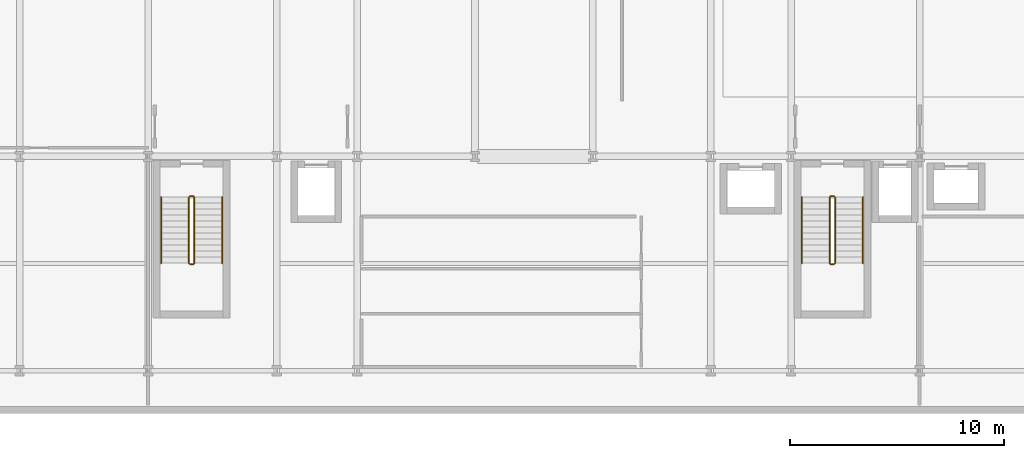
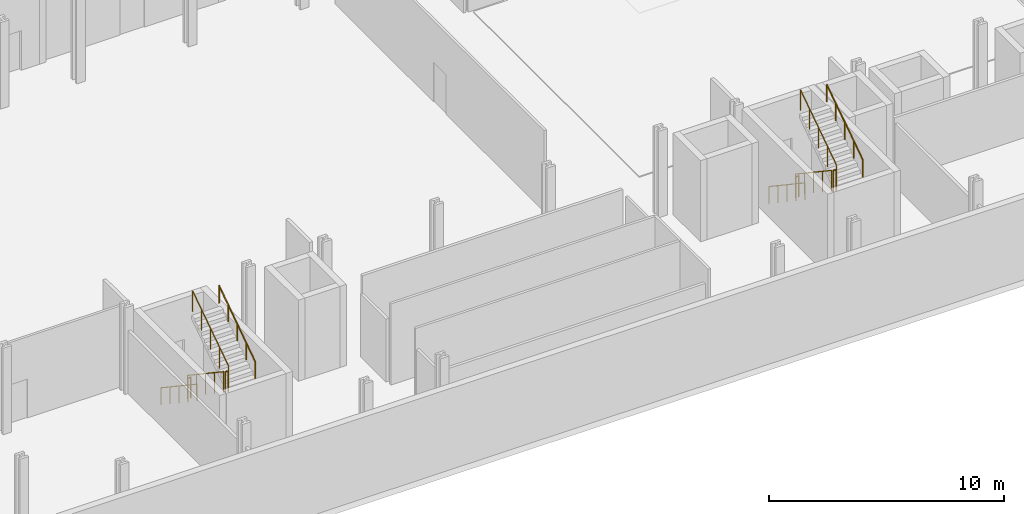
# One storey, part 22 of 25: 12 railings.
"""IFC4 building model written with IfcOpenShell, lengths in metres."""

from ifc_helpers import new_model, si_unit, direction, frame, origin, origin_2d, place, context, subcontext, project, spatial, circle, extrude, material, type_object, element, save


model = new_model("IFC4")

# Units and contexts
model_context = context("Model", 3, precision=1e-05, world=origin(), true_north=direction((0.0, 1.0)))
body_context = subcontext(model_context, "Body", "Model", "MODEL_VIEW")
ifc_project = project(units=[si_unit("LENGTHUNIT", "METRE"), si_unit("AREAUNIT", "SQUARE_METRE"), si_unit("VOLUMEUNIT", "CUBIC_METRE"), si_unit("PLANEANGLEUNIT", "RADIAN"), si_unit("MASSUNIT", "GRAM", prefix="KILO")], contexts=[model_context])

# Site, building, storey
site_placement = place(None, origin())
site = spatial("IfcSite", under=ifc_project, at=site_placement, CompositionType="ELEMENT")
building_placement = place(site_placement, origin())
building = spatial("IfcBuilding", under=site, at=building_placement, Name="Brevholm Reach", CompositionType="ELEMENT")
storey_placement = place(building_placement, frame((0.0, 0.0, 4.5)))
storey = spatial("IfcBuildingStorey", under=building, at=storey_placement, Name="L01", CompositionType="ELEMENT", Elevation=4.5)

# Railings
ifc_material_1 = material(Name="Brushed Stainless Steel EN 1.4401 Continuous Handrail", Category="steel")
railing_type_1 = type_object("IfcRailingType", Name="RAL-HND-950", PredefinedType="HANDRAIL", material=ifc_material_1)
railing_1_placement = place(storey_placement, frame((12.60009765625, 8.10009765625, 0.1875)))
element("IfcRailing", 1, at=railing_1_placement, inside=storey, type_object=railing_type_1, Name="L01 ST-1 stair handrail 1", PredefinedType="HANDRAIL", context=body_context, shape_type="SweptSolid", body=[
    extrude(circle(Radius=0.02392578125, at=origin_2d()), frame((0.0, 0.0, 0.8857421875), z_axis=(0.0, -0.830913701846, 0.55640131208), x_axis=(1.0, 0.0, 0.0)), (0.0, 0.0, 1.0), 3.706787109375),
    extrude(circle(Radius=0.02099609375, at=origin_2d()), origin(), (0.0, 0.0, 1.0), 0.86181640625),
    extrude(circle(Radius=0.02099609375, at=origin_2d()), frame((0.0, -0.77001953125, 0.515625)), (0.0, 0.0, 1.0), 0.86181640625),
    extrude(circle(Radius=0.02099609375, at=origin_2d()), frame((0.0, -1.5400390625, 1.03125)), (0.0, 0.0, 1.0), 0.86181640625),
    extrude(circle(Radius=0.02099609375, at=origin_2d()), frame((0.0, -2.31005859375, 1.546875)), (0.0, 0.0, 1.0), 0.86181640625),
    extrude(circle(Radius=0.02099609375, at=origin_2d()), frame((0.0, -3.080078125, 2.0625)), (0.0, 0.0, 1.0), 0.86181640625),
])
railing_2_placement = place(storey_placement, frame((15.449951171875, 5.02001953125, 2.4375)))
element("IfcRailing", 2, at=railing_2_placement, inside=storey, type_object=railing_type_1, Name="L01 ST-1 stair handrail 2", PredefinedType="HANDRAIL", context=body_context, shape_type="SweptSolid", body=[
    extrude(circle(Radius=0.02392578125, at=origin_2d()), frame((0.0, 0.0, 0.8857421875), z_axis=(0.0, 0.830913701846, 0.55640131208), x_axis=(-1.0, 0.0, 0.0)), (0.0, 0.0, 1.0), 3.706787109375),
    extrude(circle(Radius=0.02099609375, at=origin_2d()), origin(), (0.0, 0.0, 1.0), 0.86181640625),
    extrude(circle(Radius=0.02099609375, at=origin_2d()), frame((0.0, 0.77001953125, 0.515625)), (0.0, 0.0, 1.0), 0.86181640625),
    extrude(circle(Radius=0.02099609375, at=origin_2d()), frame((0.0, 1.5400390625, 1.03125)), (0.0, 0.0, 1.0), 0.86181640625),
    extrude(circle(Radius=0.02099609375, at=origin_2d()), frame((0.0, 2.31005859375, 1.546875)), (0.0, 0.0, 1.0), 0.86181640625),
    extrude(circle(Radius=0.02099609375, at=origin_2d()), frame((0.0, 3.080078125, 2.0625)), (0.0, 0.0, 1.0), 0.86181640625),
])
railing_3_placement = place(storey_placement, frame((42.5, 8.10009765625, 0.1875)))
element("IfcRailing", 3, at=railing_3_placement, inside=storey, type_object=railing_type_1, Name="L01 ST-2 stair handrail 1", PredefinedType="HANDRAIL", context=body_context, shape_type="SweptSolid", body=[
    extrude(circle(Radius=0.02392578125, at=origin_2d()), frame((0.0, 0.0, 0.8857421875), z_axis=(0.0, -0.830913701846, 0.55640131208), x_axis=(1.0, 0.0, 0.0)), (0.0, 0.0, 1.0), 3.706787109375),
    extrude(circle(Radius=0.02099609375, at=origin_2d()), origin(), (0.0, 0.0, 1.0), 0.86181640625),
    extrude(circle(Radius=0.02099609375, at=origin_2d()), frame((0.0, -0.77001953125, 0.515625)), (0.0, 0.0, 1.0), 0.86181640625),
    extrude(circle(Radius=0.02099609375, at=origin_2d()), frame((0.0, -1.5400390625, 1.03125)), (0.0, 0.0, 1.0), 0.86181640625),
    extrude(circle(Radius=0.02099609375, at=origin_2d()), frame((0.0, -2.31005859375, 1.546875)), (0.0, 0.0, 1.0), 0.86181640625),
    extrude(circle(Radius=0.02099609375, at=origin_2d()), frame((0.0, -3.080078125, 2.0625)), (0.0, 0.0, 1.0), 0.86181640625),
])
railing_4_placement = place(storey_placement, frame((45.35009765625, 5.02001953125, 2.4375)))
element("IfcRailing", 4, at=railing_4_placement, inside=storey, type_object=railing_type_1, Name="L01 ST-2 stair handrail 2", PredefinedType="HANDRAIL", context=body_context, shape_type="SweptSolid", body=[
    extrude(circle(Radius=0.02392578125, at=origin_2d()), frame((0.0, 0.0, 0.8857421875), z_axis=(0.0, 0.830913701846, 0.55640131208), x_axis=(-1.0, 0.0, 0.0)), (0.0, 0.0, 1.0), 3.706787109375),
    extrude(circle(Radius=0.02099609375, at=origin_2d()), origin(), (0.0, 0.0, 1.0), 0.86181640625),
    extrude(circle(Radius=0.02099609375, at=origin_2d()), frame((0.0, 0.77001953125, 0.515625)), (0.0, 0.0, 1.0), 0.86181640625),
    extrude(circle(Radius=0.02099609375, at=origin_2d()), frame((0.0, 1.5400390625, 1.03125)), (0.0, 0.0, 1.0), 0.86181640625),
    extrude(circle(Radius=0.02099609375, at=origin_2d()), frame((0.0, 2.31005859375, 1.546875)), (0.0, 0.0, 1.0), 0.86181640625),
    extrude(circle(Radius=0.02099609375, at=origin_2d()), frame((0.0, 3.080078125, 2.0625)), (0.0, 0.0, 1.0), 0.86181640625),
])
ifc_material_2 = material(Name="Painted Tubular Galvanised Steel S275JR Stair Guard", Category="steel")
railing_type_2 = type_object("IfcRailingType", Name="RAL-STG-1120", PredefinedType="BALUSTRADE", material=ifc_material_2)
railing_5_placement = place(storey_placement, frame((13.89990234375, 8.10009765625, 0.1875)))
element("IfcRailing", 5, at=railing_5_placement, inside=storey, type_object=railing_type_2, Name="L01 ST-1 stair guard 1", PredefinedType="BALUSTRADE", context=body_context, shape_type="SweptSolid", body=[
    extrude(circle(Radius=0.02392578125, at=origin_2d()), frame((0.0, 0.0, 1.076171875), z_axis=(0.0, -0.830913701846, 0.55640131208), x_axis=(1.0, 0.0, 0.0)), (0.0, 0.0, 1.0), 3.706787109375),
    extrude(circle(Radius=0.02099609375, at=origin_2d()), origin(), (0.0, 0.0, 1.0), 1.052001953125),
    extrude(circle(Radius=0.02099609375, at=origin_2d()), frame((0.0, -0.77001953125, 0.515625)), (0.0, 0.0, 1.0), 1.052001953125),
    extrude(circle(Radius=0.02099609375, at=origin_2d()), frame((0.0, -1.5400390625, 1.03125)), (0.0, 0.0, 1.0), 1.052001953125),
    extrude(circle(Radius=0.02099609375, at=origin_2d()), frame((0.0, -2.31005859375, 1.546875)), (0.0, 0.0, 1.0), 1.052001953125),
    extrude(circle(Radius=0.02099609375, at=origin_2d()), frame((0.0, -3.080078125, 2.0625)), (0.0, 0.0, 1.0), 1.052001953125),
])
railing_6_placement = place(storey_placement, frame((13.949951171875, 4.969970703125, 2.25)))
element("IfcRailing", 6, at=railing_6_placement, inside=storey, type_object=railing_type_2, Name="L01 ST-1 stair guard 2", PredefinedType="BALUSTRADE", context=body_context, shape_type="SweptSolid", body=[
    extrude(circle(Radius=0.02392578125, at=origin_2d()), frame((0.0, 0.0, 1.076171875), z_axis=(1.0, 0.0, 0.0), x_axis=(0.0, 1.0, 0.0)), (0.0, 0.0, 1.0), 0.150146484375),
    extrude(circle(Radius=0.02099609375, at=origin_2d()), origin(), (0.0, 0.0, 1.0), 1.052001953125),
    extrude(circle(Radius=0.02099609375, at=origin_2d()), frame((0.150146484375, 0.0, 0.0)), (0.0, 0.0, 1.0), 1.052001953125),
])
railing_7_placement = place(storey_placement, frame((14.14990234375, 5.02001953125, 2.4375)))
element("IfcRailing", 7, at=railing_7_placement, inside=storey, type_object=railing_type_2, Name="L01 ST-1 stair guard 3", PredefinedType="BALUSTRADE", context=body_context, shape_type="SweptSolid", body=[
    extrude(circle(Radius=0.02392578125, at=origin_2d()), frame((0.0, 0.0, 1.076171875), z_axis=(0.0, 0.830913701846, 0.55640131208), x_axis=(-1.0, 0.0, 0.0)), (0.0, 0.0, 1.0), 3.706787109375),
    extrude(circle(Radius=0.02099609375, at=origin_2d()), origin(), (0.0, 0.0, 1.0), 1.052001953125),
    extrude(circle(Radius=0.02099609375, at=origin_2d()), frame((0.0, 0.77001953125, 0.515625)), (0.0, 0.0, 1.0), 1.052001953125),
    extrude(circle(Radius=0.02099609375, at=origin_2d()), frame((0.0, 1.5400390625, 1.03125)), (0.0, 0.0, 1.0), 1.052001953125),
    extrude(circle(Radius=0.02099609375, at=origin_2d()), frame((0.0, 2.31005859375, 1.546875)), (0.0, 0.0, 1.0), 1.052001953125),
    extrude(circle(Radius=0.02099609375, at=origin_2d()), frame((0.0, 3.080078125, 2.0625)), (0.0, 0.0, 1.0), 1.052001953125),
])
railing_8_placement = place(storey_placement, frame((13.949951171875, 8.14990234375, 0.0)))
element("IfcRailing", 8, at=railing_8_placement, inside=storey, type_object=railing_type_2, Name="L01 ST-1 stair guard 4", PredefinedType="BALUSTRADE", context=body_context, shape_type="SweptSolid", body=[
    extrude(circle(Radius=0.02392578125, at=origin_2d()), frame((0.0, 0.0, 1.076171875), z_axis=(1.0, 0.0, 0.0), x_axis=(0.0, 1.0, 0.0)), (0.0, 0.0, 1.0), 0.150146484375),
    extrude(circle(Radius=0.02099609375, at=origin_2d()), origin(), (0.0, 0.0, 1.0), 1.052001953125),
    extrude(circle(Radius=0.02099609375, at=origin_2d()), frame((0.150146484375, 0.0, 0.0)), (0.0, 0.0, 1.0), 1.052001953125),
])
railing_9_placement = place(storey_placement, frame((43.800048828125, 8.10009765625, 0.1875)))
element("IfcRailing", 9, at=railing_9_placement, inside=storey, type_object=railing_type_2, Name="L01 ST-2 stair guard 1", PredefinedType="BALUSTRADE", context=body_context, shape_type="SweptSolid", body=[
    extrude(circle(Radius=0.02392578125, at=origin_2d()), frame((0.0, 0.0, 1.076171875), z_axis=(0.0, -0.830913701846, 0.55640131208), x_axis=(1.0, 0.0, 0.0)), (0.0, 0.0, 1.0), 3.706787109375),
    extrude(circle(Radius=0.02099609375, at=origin_2d()), origin(), (0.0, 0.0, 1.0), 1.052001953125),
    extrude(circle(Radius=0.02099609375, at=origin_2d()), frame((0.0, -0.77001953125, 0.515625)), (0.0, 0.0, 1.0), 1.052001953125),
    extrude(circle(Radius=0.02099609375, at=origin_2d()), frame((0.0, -1.5400390625, 1.03125)), (0.0, 0.0, 1.0), 1.052001953125),
    extrude(circle(Radius=0.02099609375, at=origin_2d()), frame((0.0, -2.31005859375, 1.546875)), (0.0, 0.0, 1.0), 1.052001953125),
    extrude(circle(Radius=0.02099609375, at=origin_2d()), frame((0.0, -3.080078125, 2.0625)), (0.0, 0.0, 1.0), 1.052001953125),
])
railing_10_placement = place(storey_placement, frame((43.85009765625, 4.969970703125, 2.25)))
element("IfcRailing", 10, at=railing_10_placement, inside=storey, type_object=railing_type_2, Name="L01 ST-2 stair guard 2", PredefinedType="BALUSTRADE", context=body_context, shape_type="SweptSolid", body=[
    extrude(circle(Radius=0.02392578125, at=origin_2d()), frame((0.0, 0.0, 1.076171875), z_axis=(1.0, 0.0, 0.0), x_axis=(0.0, 1.0, 0.0)), (0.0, 0.0, 1.0), 0.14990234375),
    extrude(circle(Radius=0.02099609375, at=origin_2d()), origin(), (0.0, 0.0, 1.0), 1.052001953125),
    extrude(circle(Radius=0.02099609375, at=origin_2d()), frame((0.14990234375, 0.0, 0.0)), (0.0, 0.0, 1.0), 1.052001953125),
])
railing_11_placement = place(storey_placement, frame((44.050048828125, 5.02001953125, 2.4375)))
element("IfcRailing", 11, at=railing_11_placement, inside=storey, type_object=railing_type_2, Name="L01 ST-2 stair guard 3", PredefinedType="BALUSTRADE", context=body_context, shape_type="SweptSolid", body=[
    extrude(circle(Radius=0.02392578125, at=origin_2d()), frame((0.0, 0.0, 1.076171875), z_axis=(0.0, 0.830913701846, 0.55640131208), x_axis=(-1.0, 0.0, 0.0)), (0.0, 0.0, 1.0), 3.706787109375),
    extrude(circle(Radius=0.02099609375, at=origin_2d()), origin(), (0.0, 0.0, 1.0), 1.052001953125),
    extrude(circle(Radius=0.02099609375, at=origin_2d()), frame((0.0, 0.77001953125, 0.515625)), (0.0, 0.0, 1.0), 1.052001953125),
    extrude(circle(Radius=0.02099609375, at=origin_2d()), frame((0.0, 1.5400390625, 1.03125)), (0.0, 0.0, 1.0), 1.052001953125),
    extrude(circle(Radius=0.02099609375, at=origin_2d()), frame((0.0, 2.31005859375, 1.546875)), (0.0, 0.0, 1.0), 1.052001953125),
    extrude(circle(Radius=0.02099609375, at=origin_2d()), frame((0.0, 3.080078125, 2.0625)), (0.0, 0.0, 1.0), 1.052001953125),
])
railing_12_placement = place(storey_placement, frame((43.85009765625, 8.14990234375, 0.0)))
element("IfcRailing", 12, at=railing_12_placement, inside=storey, type_object=railing_type_2, Name="L01 ST-2 stair guard 4", PredefinedType="BALUSTRADE", context=body_context, shape_type="SweptSolid", body=[
    extrude(circle(Radius=0.02392578125, at=origin_2d()), frame((0.0, 0.0, 1.076171875), z_axis=(1.0, 0.0, 0.0), x_axis=(0.0, 1.0, 0.0)), (0.0, 0.0, 1.0), 0.14990234375),
    extrude(circle(Radius=0.02099609375, at=origin_2d()), origin(), (0.0, 0.0, 1.0), 1.052001953125),
    extrude(circle(Radius=0.02099609375, at=origin_2d()), frame((0.14990234375, 0.0, 0.0)), (0.0, 0.0, 1.0), 1.052001953125),
])

save(model, "model.ifc")
